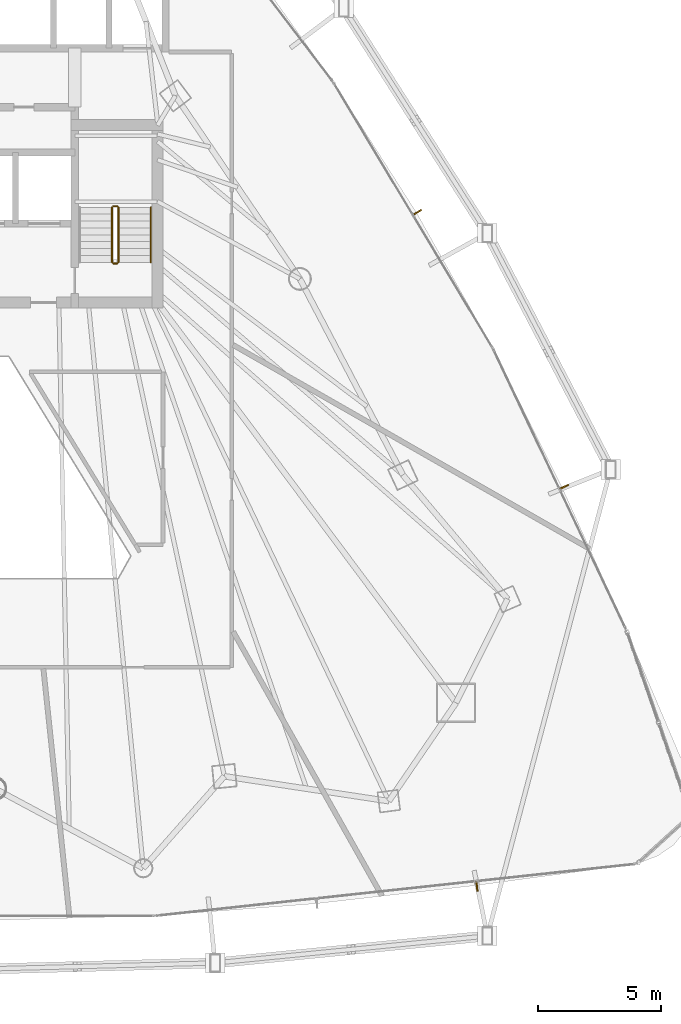
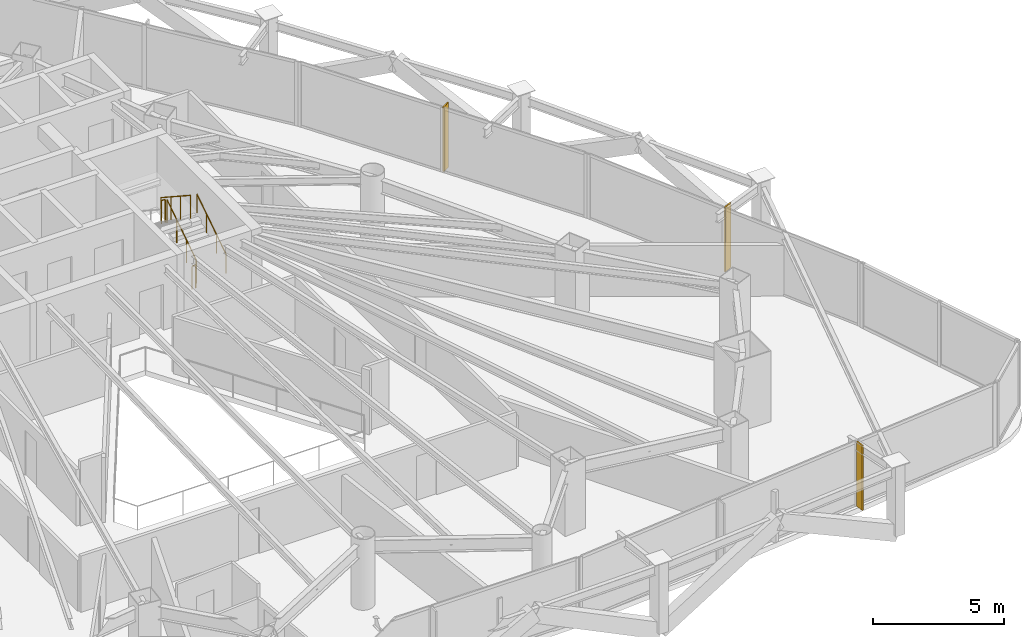
# One storey, part 37 of 38: 5 railings, 3 shading devices.
"""IFC4 building model written with IfcOpenShell, lengths in metres."""

from ifc_helpers import new_model, si_unit, direction, frame, origin, origin_2d, place, context, subcontext, project, spatial, rectangle, circle, extrude, material, layer, layer_set, type_object, element, save


model = new_model("IFC4")

# Units and contexts
model_context = context("Model", 3, precision=1e-05, world=origin(), true_north=direction((0.0, 1.0)))
body_context = subcontext(model_context, "Body", "Model", "MODEL_VIEW")
ifc_project = project(units=[si_unit("LENGTHUNIT", "METRE"), si_unit("AREAUNIT", "SQUARE_METRE"), si_unit("VOLUMEUNIT", "CUBIC_METRE"), si_unit("PLANEANGLEUNIT", "RADIAN"), si_unit("MASSUNIT", "GRAM", prefix="KILO")], contexts=[model_context])

# Site, building, storey
site_placement = place(None, origin())
site = spatial("IfcSite", under=ifc_project, at=site_placement, CompositionType="ELEMENT")
building_placement = place(site_placement, origin())
building = spatial("IfcBuilding", under=site, at=building_placement, Name="Orvanel Arch Residences", CompositionType="ELEMENT")
storey_placement = place(building_placement, frame((0.0, 0.0, 56.60009765625)))
storey = spatial("IfcBuildingStorey", under=building, at=storey_placement, Name="L15", CompositionType="ELEMENT", Elevation=56.60009765625)

# Shading devices
ifc_material_1 = material(Name="Bronze-anodised aluminium AA6063-T6", Category="aluminium")
ifc_layer = layer(ifc_material_1, 0.06005859375)
ifc_layer_set = layer_set([ifc_layer], Name="Bronze-anodised aluminium AA6063-T6")
shading_device_type = type_object("IfcShadingDeviceType", Name="FIN-BRZ-380", PredefinedType="USERDEFINED", material=ifc_layer_set)
for number, where, z_axis, x_axis, name in (
    (1, (52.652099609375, 2.85693359375, 0.0), (0.0, 0.0, 1.0), (0.107999355706, -0.994150963972, 0.0), "L15 Anodised Bronze Mullion FIN 02"),
    (2, (56.219970703125, 19.1630859375, 0.0), (0.0, 0.0, 1.0), (0.903335292863, 0.428935133403, 0.0), "L15 Anodised Bronze Mullion FIN 01"),
    (3, (50.22802734375, 30.362060546875, 0.0), (0.0, 0.0, 1.0), (0.857167300702, 0.51503807491, 0.0), "L15 Anodised Bronze Mullion FIN 01"),
):
    element("IfcShadingDevice", number, at=place(storey_placement, frame(where, z_axis=z_axis, x_axis=x_axis)), inside=storey, type_object=shading_device_type, Name=name, ObjectType="FIN", PredefinedType="USERDEFINED", context=body_context, shape_type="SweptSolid", body=[
        extrude(rectangle(XDim=0.3798828125, YDim=0.06005859375, at=origin_2d()), origin(), (0.0, 0.0, 1.0), 3.02001953125),
    ])

# Railings
ifc_material_2 = material(Name="Structural steel AS/NZS 1163 C350L0 (Grade 350)", Category="steel")
railing_type_1 = type_object("IfcRailingType", Name="RL-STAIR-GUARD", PredefinedType="GUARDRAIL", material=ifc_material_2)
railing_1_placement = place(storey_placement, frame((38.030029296875, 28.320068359375, 0.183349609375)))
element("IfcRailing", 4, at=railing_1_placement, inside=storey, type_object=railing_type_1, Name="L15 ST-2 stair guard 1", PredefinedType="GUARDRAIL", context=body_context, shape_type="SweptSolid", body=[
    extrude(circle(Radius=0.02392578125, at=origin_2d()), frame((0.0, 0.001220703125, 1.076904296875), z_axis=(0.0, 0.836636935527, 0.547757827979), x_axis=(-1.0, 0.0, 0.0)), (0.0, 0.0, 1.0), 2.67431640625),
    extrude(circle(Radius=0.02099609375, at=origin_2d()), origin(), (0.0, 0.0, 1.0), 1.050048828125),
    extrude(circle(Radius=0.02099609375, at=origin_2d()), frame((0.0, 0.74658203125, 0.48876953125)), (0.0, 0.0, 1.0), 1.050048828125),
    extrude(circle(Radius=0.02099609375, at=origin_2d()), frame((0.0, 1.493408203125, 0.977783203125)), (0.0, 0.0, 1.0), 1.050048828125),
    extrude(circle(Radius=0.02099609375, at=origin_2d()), frame((0.0, 2.239990234375, 1.466552734375)), (0.0, 0.0, 1.0), 1.050048828125),
])
railing_2_placement = place(storey_placement, frame((37.97998046875, 30.610107421875, 1.64990234375)))
element("IfcRailing", 5, at=railing_2_placement, inside=storey, type_object=railing_type_1, Name="L15 ST-2 stair guard 2", PredefinedType="GUARDRAIL", context=body_context, shape_type="SweptSolid", body=[
    extrude(circle(Radius=0.02392578125, at=origin_2d()), frame((-0.00146484375, 0.0, 1.076171875), z_axis=(-1.0, 0.0, 0.0), x_axis=(0.0, -1.0, 0.0)), (0.0, 0.0, 1.0), 0.156982421875),
    extrude(circle(Radius=0.02099609375, at=origin_2d()), origin(), (0.0, 0.0, 1.0), 1.050048828125),
    extrude(circle(Radius=0.02099609375, at=origin_2d()), frame((-0.159912109375, 0.0, 0.0)), (0.0, 0.0, 1.0), 1.050048828125),
])
railing_3_placement = place(storey_placement, frame((37.77001953125, 30.56005859375, 1.833251953125)))
element("IfcRailing", 6, at=railing_3_placement, inside=storey, type_object=railing_type_1, Name="L15 ST-2 stair guard 3", PredefinedType="GUARDRAIL", context=body_context, shape_type="SweptSolid", body=[
    extrude(circle(Radius=0.02392578125, at=origin_2d()), frame((0.0, -0.001220703125, 1.076904296875), z_axis=(0.0, -0.836636935527, 0.547757827979), x_axis=(1.0, 0.0, 0.0)), (0.0, 0.0, 1.0), 2.67431640625),
    extrude(circle(Radius=0.02099609375, at=origin_2d()), origin(), (0.0, 0.0, 1.0), 1.050048828125),
    extrude(circle(Radius=0.02099609375, at=origin_2d()), frame((0.0, -0.74658203125, 0.48876953125)), (0.0, 0.0, 1.0), 1.050048828125),
    extrude(circle(Radius=0.02099609375, at=origin_2d()), frame((0.0, -1.493408203125, 0.977783203125)), (0.0, 0.0, 1.0), 1.050048828125),
    extrude(circle(Radius=0.02099609375, at=origin_2d()), frame((0.0, -2.239990234375, 1.466552734375)), (0.0, 0.0, 1.0), 1.050048828125),
])
railing_4_placement = place(storey_placement, frame((37.97998046875, 28.27001953125, 0.0)))
element("IfcRailing", 7, at=railing_4_placement, inside=storey, type_object=railing_type_1, Name="L15 ST-2 stair guard 4", PredefinedType="GUARDRAIL", context=body_context, shape_type="SweptSolid", body=[
    extrude(circle(Radius=0.02392578125, at=origin_2d()), frame((-0.00146484375, 0.0, 1.076171875), z_axis=(-1.0, 0.0, 0.0), x_axis=(0.0, -1.0, 0.0)), (0.0, 0.0, 1.0), 0.156982421875),
    extrude(circle(Radius=0.02099609375, at=origin_2d()), origin(), (0.0, 0.0, 1.0), 1.050048828125),
    extrude(circle(Radius=0.02099609375, at=origin_2d()), frame((-0.159912109375, 0.0, 0.0)), (0.0, 0.0, 1.0), 1.050048828125),
])
railing_type_2 = type_object("IfcRailingType", Name="RL-STAIR-HAND", PredefinedType="HANDRAIL", material=ifc_material_2)
railing_5_placement = place(storey_placement, frame((39.35009765625, 28.320068359375, 0.183349609375)))
element("IfcRailing", 8, at=railing_5_placement, inside=storey, type_object=railing_type_2, Name="L15 ST-2 stair handrail 1", PredefinedType="HANDRAIL", context=body_context, shape_type="SweptSolid", body=[
    extrude(circle(Radius=0.02392578125, at=origin_2d()), frame((0.0, 0.001220703125, 0.876708984375), z_axis=(0.0, 0.836636935527, 0.547757827979), x_axis=(-1.0, 0.0, 0.0)), (0.0, 0.0, 1.0), 2.67431640625),
    extrude(circle(Radius=0.02099609375, at=origin_2d()), origin(), (0.0, 0.0, 1.0), 0.849853515625),
    extrude(circle(Radius=0.02099609375, at=origin_2d()), frame((0.0, 0.74658203125, 0.48876953125)), (0.0, 0.0, 1.0), 0.849853515625),
    extrude(circle(Radius=0.02099609375, at=origin_2d()), frame((0.0, 1.493408203125, 0.977783203125)), (0.0, 0.0, 1.0), 0.849853515625),
    extrude(circle(Radius=0.02099609375, at=origin_2d()), frame((0.0, 2.239990234375, 1.466552734375)), (0.0, 0.0, 1.0), 0.849853515625),
])

save(model, "model.ifc")
